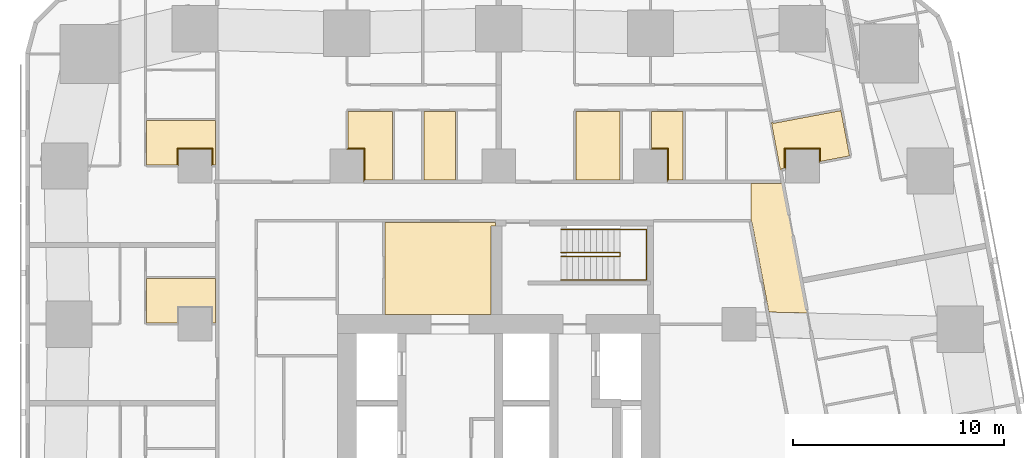
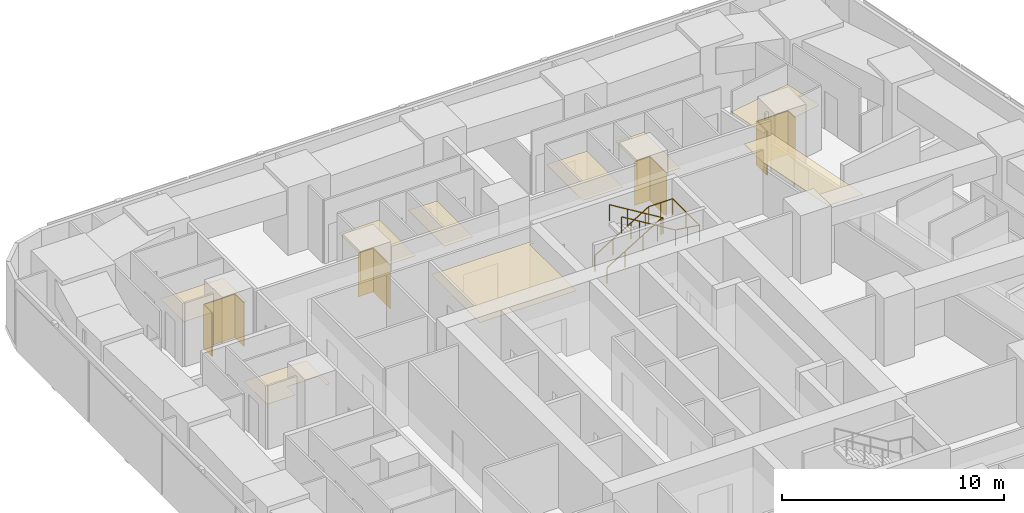
# One storey, part 15 of 15: 13 coverings, 2 railings.
"""IFC4 building model written with IfcOpenShell, lengths in metres."""

import ifcopenshell
import ifcopenshell.guid

model = None  # the IFC model being written
_history = None  # IfcOwnerHistory: only IFC2X3 demands one
_inside = {}  # id of a spatial element -> (the spatial element, [elements in it])
_under = {}  # id of a project, library or spatial element -> (it, [spatial elements below it])
_declared = {}  # id of a project -> (the project, [libraries it declares])
_typed = {}  # id of a type object -> (the type object, [elements of that type])
_made_of = {}  # id of a material, layer set ... -> (it, [elements and type objects made of it])


def new_model(schema):
    """Start an empty IFC model of exactly this schema.

    Asked for "IFC4X3", IfcOpenShell would pick the latest addendum, in which some entities
    have other attributes; the version numbers below select the first issue.
    IFC2X3 requires an IfcOwnerHistory on every rooted entity: one is made here for all.
    """
    global model, _history
    if schema == "IFC4X3":
        model = ifcopenshell.file(schema_version=(4, 3, 0, 0))
    else:
        model = ifcopenshell.file(schema=schema)
    _inside.clear()
    _under.clear()
    _declared.clear()
    _typed.clear()
    _made_of.clear()
    _history = None
    if model.schema == "IFC2X3":
        org = make("IfcOrganization", Name="unknown")
        user = make(
            "IfcPersonAndOrganization",
            ThePerson=make("IfcPerson", FamilyName="unknown"),
            TheOrganization=org,
        )
        app = make(
            "IfcApplication",
            ApplicationDeveloper=org,
            Version="unknown",
            ApplicationFullName="unknown",
            ApplicationIdentifier="unknown",
        )
        _history = make(
            "IfcOwnerHistory",
            OwningUser=user,
            OwningApplication=app,
            ChangeAction="ADDED",
            CreationDate=0,
        )
    return model


def make(cls, **values):
    """One entity of the class cls with the attributes given. An attribute that is None is left unset."""
    return model.create_entity(
        cls, **{name: value for name, value in values.items() if value is not None}
    )


def rooted(cls, **values):
    """An entity with a GlobalId (a new one), such as an element, a storey or a relation."""
    return make(cls, GlobalId=ifcopenshell.guid.new(), OwnerHistory=_history, **values)


def si_unit(unit_type, name, prefix=None):
    """IfcSIUnit, for example si_unit("LENGTHUNIT", "METRE", prefix="MILLI")."""
    return make("IfcSIUnit", UnitType=unit_type, Prefix=prefix, Name=name)


def assignment(units):
    """IfcUnitAssignment: the units of a project."""
    return None if units is None else make("IfcUnitAssignment", Units=units)


def point(xyz):
    """IfcCartesianPoint."""
    return None if xyz is None else make("IfcCartesianPoint", Coordinates=xyz)


def direction(xyz):
    """IfcDirection."""
    return None if xyz is None else make("IfcDirection", DirectionRatios=xyz)


def frame(location, z_axis=None, x_axis=None):
    """IfcAxis2Placement3D, a coordinate frame: its origin and axes. An axis left out is left unset."""
    return make(
        "IfcAxis2Placement3D",
        Location=point(location),
        Axis=direction(z_axis),
        RefDirection=direction(x_axis),
    )


def frame_2d(location, x_axis=None):
    """IfcAxis2Placement2D, a coordinate frame in the plane: its origin and x axis."""
    return make(
        "IfcAxis2Placement2D", Location=point(location), RefDirection=direction(x_axis)
    )


def origin():
    """The frame at (0, 0, 0) with its axes left unset."""
    return frame((0.0, 0.0, 0.0))


def origin_2d():
    """The frame at (0, 0) in the plane with its x axis left unset."""
    return frame_2d((0.0, 0.0))


def place(relative_to, where):
    """IfcLocalPlacement: puts the frame where relative to a parent placement (None: the world)."""
    return make(
        "IfcLocalPlacement", PlacementRelTo=relative_to, RelativePlacement=where
    )


def context(
    kind, dimensions, precision=None, world=None, true_north=None, identifier=None
):
    """IfcGeometricRepresentationContext, for example the 3D "Model" context."""
    return make(
        "IfcGeometricRepresentationContext",
        ContextIdentifier=identifier,
        ContextType=kind,
        CoordinateSpaceDimension=dimensions,
        Precision=precision,
        WorldCoordinateSystem=world,
        TrueNorth=true_north,
    )


def subcontext(parent, identifier, kind, view, scale=None):
    """IfcGeometricRepresentationSubContext, for example "Body" below "Model"."""
    return make(
        "IfcGeometricRepresentationSubContext",
        ContextIdentifier=identifier,
        ContextType=kind,
        ParentContext=parent,
        TargetScale=scale,
        TargetView=view,
    )


def project(units=None, contexts=None):
    """IfcProject with its units and contexts."""
    return rooted(
        "IfcProject",
        Name="project",
        RepresentationContexts=contexts,
        UnitsInContext=assignment(units),
    )


def spatial(cls, under=None, at=None, **own):
    """A site, building, storey or space (cls), placed at a placement, below another one or the project."""
    s = rooted(cls, ObjectPlacement=at, **own)
    if under is not None:
        _under.setdefault(under.id(), (under, []))[1].append(s)
    return s


def polyline(points):
    """IfcPolyline through the points."""
    return make("IfcPolyline", Points=[point(p) for p in points])


def profile(cls, at=None, kind="AREA", **sizes):
    """A parametric profile (cls). Its sizes go by their IFC names, for example OverallWidth=200.0."""
    return make(cls, ProfileType=kind, Position=at, **sizes)


def circle(**sizes):
    """IfcCircleProfileDef."""
    return profile("IfcCircleProfileDef", **sizes)


def outline(outer, holes=None, kind="AREA"):
    """IfcArbitraryClosedProfileDef: a profile drawn as a closed curve; with holes, ...WithVoids."""
    if holes is None:
        return make("IfcArbitraryClosedProfileDef", ProfileType=kind, OuterCurve=outer)
    return make(
        "IfcArbitraryProfileDefWithVoids",
        ProfileType=kind,
        OuterCurve=outer,
        InnerCurves=holes,
    )


def extrude(swept, where, along, depth):
    """IfcExtrudedAreaSolid: the profile swept, set in the frame where, extruded along a direction by depth."""
    return make(
        "IfcExtrudedAreaSolid",
        SweptArea=swept,
        Position=where,
        ExtrudedDirection=direction(along),
        Depth=depth,
    )


def shape(context_of_items, identifier, shape_type, items):
    """IfcShapeRepresentation: the items that make up one representation, for example the "Body"."""
    return make(
        "IfcShapeRepresentation",
        ContextOfItems=context_of_items,
        RepresentationIdentifier=identifier,
        RepresentationType=shape_type,
        Items=items,
    )


def material(Name=None, Category=None):
    """IfcMaterial."""
    return make("IfcMaterial", Name=Name, Category=Category)


def layer(
    of_material, thickness, ventilated=None, Name=None, Category=None, Priority=None
):
    """IfcMaterialLayer: one layer of a wall or slab, of a material (None: an air gap)."""
    return make(
        "IfcMaterialLayer",
        Material=of_material,
        LayerThickness=thickness,
        IsVentilated=ventilated,
        Name=Name,
        Category=Category,
        Priority=Priority,
    )


def layer_set(layers, Name=None):
    """IfcMaterialLayerSet."""
    return make("IfcMaterialLayerSet", MaterialLayers=layers, LayerSetName=Name)


def made_of(thing, what):
    """Note that an element or type object is made of a material, layer set ...; save() writes the relation."""
    if what is not None:
        _made_of.setdefault(what.id(), (what, []))[1].append(thing)
    return thing


def type_object(cls, material=None, **own):
    """A type object (cls), such as IfcWallType, which elements share."""
    return made_of(rooted(cls, **own), material)


def element(
    cls,
    number,
    at=None,
    inside=None,
    cuts=None,
    type_object=None,
    material=None,
    context=None,
    identifier="Body",
    shape_type=None,
    held_by="IfcProductDefinitionShape",
    body=None,
    shapes=None,
    **own,
):
    """One element of the class cls, such as IfcWall. Its Tag is "e" and its number.

    at: its placement. inside: the storey or other place that contains it. cuts: it is an
    opening in that element (IfcRelVoidsElement). A single representation is given by context,
    identifier, shape_type and body (its items); several are given by shapes. held_by: the class
    of the entity that holds the representations. save() writes the other relations.
    """
    e = rooted(cls, Tag="e%d" % number, ObjectPlacement=at, **own)
    if body is not None:
        shapes = [shape(context, identifier, shape_type, body)]
    if shapes is not None:
        e.Representation = make(held_by, Representations=shapes)
    if inside is not None:
        _inside.setdefault(inside.id(), (inside, []))[1].append(e)
    if cuts is not None:
        rooted(
            "IfcRelVoidsElement", RelatingBuildingElement=cuts, RelatedOpeningElement=e
        )
    if type_object is not None:
        _typed.setdefault(type_object.id(), (type_object, []))[1].append(e)
    return made_of(e, material)


def aggregate(whole, parts):
    """IfcRelAggregates: a whole, such as a stair, and the parts it consists of."""
    return rooted("IfcRelAggregates", RelatingObject=whole, RelatedObjects=parts)


def save(model, path):
    """Write the relations noted so far, then the file.

    IfcRelAggregates (storeys below a building ...), IfcRelContainedInSpatialStructure (elements
    in a storey), IfcRelDefinesByType, IfcRelAssociatesMaterial and IfcRelDeclares: one each for
    every whole, place, type object, material and project.
    """
    for whole, parts in _under.values():
        aggregate(whole, parts)
    for where, things in _inside.values():
        rooted(
            "IfcRelContainedInSpatialStructure",
            RelatedElements=things,
            RelatingStructure=where,
        )
    for kind, things in _typed.values():
        rooted("IfcRelDefinesByType", RelatedObjects=things, RelatingType=kind)
    for what, things in _made_of.values():
        rooted("IfcRelAssociatesMaterial", RelatedObjects=things, RelatingMaterial=what)
    for by, libraries in _declared.values():
        rooted("IfcRelDeclares", RelatingContext=by, RelatedDefinitions=libraries)
    model.write(path)


model = new_model("IFC4")

# Units and contexts
model_context = context("Model", 3, precision=1e-05, world=origin(), true_north=direction((0.0, 1.0)))
body_context = subcontext(model_context, "Body", "Model", "MODEL_VIEW")
ifc_project = project(units=[si_unit("LENGTHUNIT", "METRE"), si_unit("AREAUNIT", "SQUARE_METRE"), si_unit("VOLUMEUNIT", "CUBIC_METRE"), si_unit("PLANEANGLEUNIT", "RADIAN"), si_unit("MASSUNIT", "GRAM", prefix="KILO")], contexts=[model_context])

# Site, building, storey
site_placement = place(None, origin())
site = spatial("IfcSite", under=ifc_project, at=site_placement, CompositionType="ELEMENT")
building_placement = place(site_placement, origin())
building = spatial("IfcBuilding", under=site, at=building_placement, Name="Sheger Commons Tower", CompositionType="ELEMENT")
storey_placement = place(building_placement, frame((0.0, 0.0, 100.39990234375)))
storey = spatial("IfcBuildingStorey", under=building, at=storey_placement, Name="L25", CompositionType="ELEMENT", Elevation=100.39990234375)

# Railings
ifc_material_1 = material(Name="Steel handrail, black powder-coated", Category="steel")
railing_type = type_object("IfcRailingType", Name="HANDRAIL 900", PredefinedType="HANDRAIL", material=ifc_material_1)
railing_1_placement = place(storey_placement, frame((24.550048828125, 33.39990234375, 0.170654296875)))
element("IfcRailing", 1, at=railing_1_placement, inside=storey, type_object=railing_type, Name="Stair S2 handrail L25", PredefinedType="HANDRAIL", context=body_context, shape_type="SweptSolid", body=[
    extrude(circle(Radius=0.02392578125, at=origin_2d()), frame((0.0, 0.0, 0.8759765625), z_axis=(0.854202870247, 0.0, 0.519939858505), x_axis=(0.0, 1.0, 0.0)), (0.0, 0.0, 1.0), 3.278076171875),
    extrude(circle(Radius=0.02392578125, at=origin_2d()), frame((2.800048828125, 0.0, 2.580078125), z_axis=(0.0, -0.760631612298, 0.649183757016), x_axis=(1.0, 0.0, 0.0)), (0.0, 0.0, 1.0), 0.262939453125),
    extrude(circle(Radius=0.02392578125, at=origin_2d()), frame((2.800048828125, -0.199951171875, 2.7509765625), z_axis=(-0.854202870247, 0.0, 0.519939858505), x_axis=(0.0, -1.0, 0.0)), (0.0, 0.0, 1.0), 3.278076171875),
    extrude(circle(Radius=0.02099609375, at=origin_2d()), origin(), (0.0, 0.0, 1.0), 0.851806640625),
    extrude(circle(Radius=0.02099609375, at=origin_2d()), frame((0.933349609375, 0.0, 0.568115234375)), (0.0, 0.0, 1.0), 0.851806640625),
    extrude(circle(Radius=0.02099609375, at=origin_2d()), frame((1.86669921875, 0.0, 1.13623046875)), (0.0, 0.0, 1.0), 0.851806640625),
    extrude(circle(Radius=0.02099609375, at=origin_2d()), frame((2.800048828125, 0.0, 1.704345703125)), (0.0, 0.0, 1.0), 0.851806640625),
    extrude(circle(Radius=0.02099609375, at=origin_2d()), frame((2.800048828125, -0.199951171875, 1.875)), (0.0, 0.0, 1.0), 0.851806640625),
    extrude(circle(Radius=0.02099609375, at=origin_2d()), frame((1.86669921875, -0.199951171875, 2.443115234375)), (0.0, 0.0, 1.0), 0.851806640625),
    extrude(circle(Radius=0.02099609375, at=origin_2d()), frame((0.933349609375, -0.199951171875, 3.01123046875)), (0.0, 0.0, 1.0), 0.851806640625),
    extrude(circle(Radius=0.02099609375, at=origin_2d()), frame((0.0, -0.199951171875, 3.579345703125)), (0.0, 0.0, 1.0), 0.851806640625),
])
railing_2_placement = place(storey_placement, frame((24.550048828125, 34.5, 0.170654296875)))
element("IfcRailing", 2, at=railing_2_placement, inside=storey, type_object=railing_type, Name="Stair S2 handrail L25", PredefinedType="HANDRAIL", context=body_context, shape_type="SweptSolid", body=[
    extrude(circle(Radius=0.02392578125, at=origin_2d()), frame((0.0, 0.0, 0.8759765625), z_axis=(0.854202870247, 0.0, 0.519939858505), x_axis=(0.0, 1.0, 0.0)), (0.0, 0.0, 1.0), 3.278076171875),
    extrude(circle(Radius=0.02392578125, at=origin_2d()), frame((2.800048828125, 0.0, 2.580078125), z_axis=(1.0, 0.0, 0.0), x_axis=(0.0, 1.0, 0.0)), (0.0, 0.0, 1.0), 1.25),
    extrude(circle(Radius=0.02392578125, at=origin_2d()), frame((4.050048828125, 0.0, 2.580078125), z_axis=(0.0, -1.0, 0.0), x_axis=(1.0, 0.0, 0.0)), (0.0, 0.0, 1.0), 2.39990234375),
    extrude(circle(Radius=0.02392578125, at=origin_2d()), frame((4.050048828125, -2.39990234375, 2.580078125), z_axis=(-0.990808959222, 0.0, 0.135268645019), x_axis=(0.0, -1.0, 0.0)), (0.0, 0.0, 1.0), 1.261474609375),
    extrude(circle(Radius=0.02392578125, at=origin_2d()), frame((2.800048828125, -2.39990234375, 2.7509765625), z_axis=(-0.854202870247, 0.0, 0.519939858505), x_axis=(0.0, -1.0, 0.0)), (0.0, 0.0, 1.0), 3.278076171875),
    extrude(circle(Radius=0.02099609375, at=origin_2d()), origin(), (0.0, 0.0, 1.0), 0.851806640625),
    extrude(circle(Radius=0.02099609375, at=origin_2d()), frame((0.933349609375, 0.0, 0.568115234375)), (0.0, 0.0, 1.0), 0.851806640625),
    extrude(circle(Radius=0.02099609375, at=origin_2d()), frame((1.86669921875, 0.0, 1.13623046875)), (0.0, 0.0, 1.0), 0.851806640625),
    extrude(circle(Radius=0.02099609375, at=origin_2d()), frame((2.800048828125, 0.0, 1.704345703125)), (0.0, 0.0, 1.0), 0.851806640625),
    extrude(circle(Radius=0.02099609375, at=origin_2d()), frame((3.425048828125, 0.0, 1.704345703125)), (0.0, 0.0, 1.0), 0.851806640625),
    extrude(circle(Radius=0.02099609375, at=origin_2d()), frame((4.050048828125, 0.0, 1.704345703125)), (0.0, 0.0, 1.0), 0.851806640625),
    extrude(circle(Radius=0.02099609375, at=origin_2d()), frame((4.050048828125, -1.199951171875, 1.704345703125)), (0.0, 0.0, 1.0), 0.851806640625),
    extrude(circle(Radius=0.02099609375, at=origin_2d()), frame((4.050048828125, -2.39990234375, 1.704345703125)), (0.0, 0.0, 1.0), 0.851806640625),
    extrude(circle(Radius=0.02099609375, at=origin_2d()), frame((3.425048828125, -2.39990234375, 1.78955078125)), (0.0, 0.0, 1.0), 0.851806640625),
    extrude(circle(Radius=0.02099609375, at=origin_2d()), frame((2.800048828125, -2.39990234375, 1.875)), (0.0, 0.0, 1.0), 0.851806640625),
    extrude(circle(Radius=0.02099609375, at=origin_2d()), frame((1.86669921875, -2.39990234375, 2.443115234375)), (0.0, 0.0, 1.0), 0.851806640625),
    extrude(circle(Radius=0.02099609375, at=origin_2d()), frame((0.933349609375, -2.39990234375, 3.01123046875)), (0.0, 0.0, 1.0), 0.851806640625),
    extrude(circle(Radius=0.02099609375, at=origin_2d()), frame((0.0, -2.39990234375, 3.579345703125)), (0.0, 0.0, 1.0), 0.851806640625),
])

# Coverings
ifc_material_2 = material(Name="Moisture-resistant gypsum plasterboard 15 mm on a suspended galvanised steel grid", Category="steel")
ifc_layer_1 = layer(ifc_material_2, 0.014892578125)
ifc_layer_set_1 = layer_set([ifc_layer_1], Name="MOISTURE-RESISTANT CEILING 15")
covering_type_1 = type_object("IfcCoveringType", Name="MOISTURE-RESISTANT CEILING 15", PredefinedType="CEILING", material=ifc_layer_set_1)
covering_1_placement = place(storey_placement, frame((0.0, 0.0, 2.400146484375)))
element("IfcCovering", 3, at=covering_1_placement, inside=storey, type_object=covering_type_1, Name="L25-03.B1 ceiling", PredefinedType="CEILING", context=body_context, shape_type="SweptSolid", body=[
    extrude(outline(polyline([(4.905029296875, 30.054931640625), (6.39501953125, 30.054931640625), (6.39501953125, 30.804931640625), (8.0048828125, 30.804931640625), (8.0048828125, 30.054931640625), (8.169921875, 30.054931640625), (8.169921875, 32.155029296875), (4.905029296875, 32.155029296875), (4.905029296875, 30.054931640625)])), origin(), (0.0, 0.0, 1.0), 0.014892578125),
])
covering_2_placement = place(storey_placement, frame((0.0, 0.0, 2.400146484375)))
element("IfcCovering", 4, at=covering_2_placement, inside=storey, type_object=covering_type_1, Name="L25-04.B1 ceiling", PredefinedType="CEILING", context=body_context, shape_type="SweptSolid", body=[
    extrude(outline(polyline([(4.905029296875, 37.554931640625), (6.39501953125, 37.554931640625), (6.39501953125, 38.304931640625), (8.0048828125, 38.304931640625), (8.0048828125, 37.554931640625), (8.169921875, 37.554931640625), (8.169921875, 39.655029296875), (4.905029296875, 39.655029296875), (4.905029296875, 37.554931640625)])), origin(), (0.0, 0.0, 1.0), 0.014892578125),
])
covering_3_placement = place(storey_placement, frame((0.0, 0.0, 2.400146484375)))
element("IfcCovering", 5, at=covering_3_placement, inside=storey, type_object=covering_type_1, Name="L25-08.B1 ceiling", PredefinedType="CEILING", context=body_context, shape_type="SweptSolid", body=[
    extrude(outline(polyline([(34.9580078125, 37.302978515625), (35.027099609375, 37.31591796875), (35.01708984375, 37.3701171875), (35.18505859375, 37.402099609375), (35.193115234375, 37.35888671875), (35.195068359375, 37.35888671875), (35.195068359375, 38.304931640625), (36.804931640625, 38.304931640625), (36.804931640625, 37.7080078125), (38.23388671875, 37.97900390625), (37.827880859375, 40.126953125), (34.611083984375, 39.52001953125), (34.60107421875, 39.573974609375), (34.531982421875, 39.56103515625), (34.9580078125, 37.302978515625)])), origin(), (0.0, 0.0, 1.0), 0.014892578125),
])
covering_4_placement = place(storey_placement, frame((0.0, 0.0, 2.400146484375)))
element("IfcCovering", 6, at=covering_4_placement, inside=storey, type_object=covering_type_1, Name="L25-12.B1 ceiling", PredefinedType="CEILING", context=body_context, shape_type="SweptSolid", body=[
    extrude(outline(polyline([(15.205078125, 36.830078125), (16.554931640625, 36.830078125), (16.554931640625, 40.094970703125), (14.455078125, 40.094970703125), (14.455078125, 38.304931640625), (15.205078125, 38.304931640625), (15.205078125, 36.830078125)])), origin(), (0.0, 0.0, 1.0), 0.014892578125),
])
covering_5_placement = place(storey_placement, frame((0.0, 0.0, 2.400146484375)))
element("IfcCovering", 7, at=covering_5_placement, inside=storey, type_object=covering_type_1, Name="L25-12.B2 ceiling", PredefinedType="CEILING", context=body_context, shape_type="SweptSolid", body=[
    extrude(outline(polyline([(18.054931640625, 36.830078125), (19.544921875, 36.830078125), (19.544921875, 40.094970703125), (18.054931640625, 40.094970703125), (18.054931640625, 36.830078125)])), origin(), (0.0, 0.0, 1.0), 0.014892578125),
])
covering_6_placement = place(storey_placement, frame((0.0, 0.0, 2.400146484375)))
element("IfcCovering", 8, at=covering_6_placement, inside=storey, type_object=covering_type_1, Name="L25-13.B1 ceiling", PredefinedType="CEILING", context=body_context, shape_type="SweptSolid", body=[
    extrude(outline(polyline([(25.2548828125, 36.830078125), (27.35498046875, 36.830078125), (27.35498046875, 40.094970703125), (25.2548828125, 40.094970703125), (25.2548828125, 36.830078125)])), origin(), (0.0, 0.0, 1.0), 0.014892578125),
])
covering_7_placement = place(storey_placement, frame((0.0, 0.0, 2.400146484375)))
element("IfcCovering", 9, at=covering_7_placement, inside=storey, type_object=covering_type_1, Name="L25-13.B2 ceiling", PredefinedType="CEILING", context=body_context, shape_type="SweptSolid", body=[
    extrude(outline(polyline([(29.60498046875, 36.830078125), (30.344970703125, 36.830078125), (30.344970703125, 40.094970703125), (28.85498046875, 40.094970703125), (28.85498046875, 38.304931640625), (29.60498046875, 38.304931640625), (29.60498046875, 36.830078125)])), origin(), (0.0, 0.0, 1.0), 0.014892578125),
])
ifc_material_3 = material(Name="Gypsum plasterboard 15 mm on a suspended steel grid", Category="steel")
ifc_layer_2 = layer(ifc_material_3, 0.014892578125)
ifc_layer_set_2 = layer_set([ifc_layer_2], Name="SUSPENDED CEILING 15")
covering_type_2 = type_object("IfcCoveringType", Name="SUSPENDED CEILING 15", PredefinedType="CEILING", material=ifc_layer_set_2)
covering_8_placement = place(storey_placement, frame((0.0, 0.0, 2.7001953125)))
element("IfcCovering", 10, at=covering_8_placement, inside=storey, type_object=covering_type_2, Name="L25-CO ceiling", PredefinedType="CEILING", context=body_context, shape_type="SweptSolid", body=[
    extrude(outline(polyline([(36.237060546875, 30.531982421875), (35.06201171875, 36.75), (34.97802734375, 36.75), (34.97802734375, 36.669921875), (33.572998046875, 36.669921875), (33.572998046875, 34.947998046875), (33.571044921875, 34.947998046875), (33.589111328125, 34.85205078125), (33.60595703125, 34.85498046875), (34.4150390625, 30.572998046875), (36.237060546875, 30.531982421875)])), origin(), (0.0, 0.0, 1.0), 0.014892578125),
])
covering_9_placement = place(storey_placement, frame((0.0, 0.0, 2.7001953125)))
element("IfcCovering", 11, at=covering_9_placement, inside=storey, type_object=covering_type_2, Name="L25-SVN1 ceiling", PredefinedType="CEILING", context=body_context, shape_type="SweptSolid", body=[
    extrude(outline(polyline([(16.217041015625, 30.455078125), (21.2451171875, 30.455078125), (21.2451171875, 34.655029296875), (21.445068359375, 34.655029296875), (21.445068359375, 34.83203125), (16.217041015625, 34.83203125), (16.217041015625, 30.455078125)])), origin(), (0.0, 0.0, 1.0), 0.014892578125),
])
ifc_material_4 = material(Name="Moisture-resistant gypsum board 12.5 mm on 25 mm treated timber battens, tanked and tiled", Category="wood")
ifc_layer_3 = layer(ifc_material_4, 0.050048828125)
ifc_layer_set_3 = layer_set([ifc_layer_3], Name="WET-ROOM COLUMN LINING")
covering_type_3 = type_object("IfcCoveringType", Name="WET-ROOM COLUMN LINING", PredefinedType="CLADDING", material=ifc_layer_set_3)
covering_10_placement = place(storey_placement, origin())
element("IfcCovering", 12, at=covering_10_placement, inside=storey, type_object=covering_type_3, Name="Bathroom column lining C9 L25", PredefinedType="CLADDING", context=body_context, shape_type="SweptSolid", body=[
    extrude(outline(polyline([(8.050048828125, 38.35009765625), (8.050048828125, 37.550048828125), (8.0009765625, 37.550048828125), (8.0009765625, 37.5), (8.0, 37.5), (8.0, 38.300048828125), (6.39990234375, 38.300048828125), (6.39990234375, 37.5), (6.39892578125, 37.5), (6.39892578125, 37.550048828125), (6.35009765625, 37.550048828125), (6.35009765625, 38.35009765625), (8.050048828125, 38.35009765625)])), origin(), (0.0, 0.0, 1.0), 2.400146484375),
])
covering_11_placement = place(storey_placement, origin())
element("IfcCovering", 13, at=covering_11_placement, inside=storey, type_object=covering_type_3, Name="Bathroom column lining C9 L25", PredefinedType="CLADDING", context=body_context, shape_type="SweptSolid", body=[
    extrude(outline(polyline([(15.25, 36.824951171875), (15.200927734375, 36.824951171875), (15.200927734375, 36.75), (15.199951171875, 36.75), (15.199951171875, 38.300048828125), (14.39990234375, 38.300048828125), (14.39990234375, 38.301025390625), (14.449951171875, 38.301025390625), (14.449951171875, 38.35009765625), (15.25, 38.35009765625), (15.25, 36.824951171875)])), origin(), (0.0, 0.0, 1.0), 2.400146484375),
])
covering_12_placement = place(storey_placement, origin())
element("IfcCovering", 14, at=covering_12_placement, inside=storey, type_object=covering_type_3, Name="Shower room column lining C9 L25", PredefinedType="CLADDING", context=body_context, shape_type="SweptSolid", body=[
    extrude(outline(polyline([(29.64990234375, 36.824951171875), (29.60107421875, 36.824951171875), (29.60107421875, 36.75), (29.60009765625, 36.75), (29.60009765625, 38.300048828125), (28.800048828125, 38.300048828125), (28.800048828125, 38.301025390625), (28.85009765625, 38.301025390625), (28.85009765625, 38.35009765625), (29.64990234375, 38.35009765625), (29.64990234375, 36.824951171875)])), origin(), (0.0, 0.0, 1.0), 2.400146484375),
])
covering_13_placement = place(storey_placement, origin())
element("IfcCovering", 15, at=covering_13_placement, inside=storey, type_object=covering_type_3, Name="Bathroom column lining C9 L25", PredefinedType="CLADDING", context=body_context, shape_type="SweptSolid", body=[
    extrude(outline(polyline([(36.85009765625, 38.35009765625), (36.85009765625, 37.7109375), (36.801025390625, 37.701904296875), (36.81005859375, 37.653076171875), (36.800048828125, 37.65087890625), (36.800048828125, 38.300048828125), (35.199951171875, 38.300048828125), (35.199951171875, 37.34912109375), (35.18994140625, 37.346923828125), (35.180908203125, 37.39599609375), (35.14990234375, 37.389892578125), (35.14990234375, 38.35009765625), (36.85009765625, 38.35009765625)])), origin(), (0.0, 0.0, 1.0), 2.400146484375),
])

save(model, "model.ifc")
